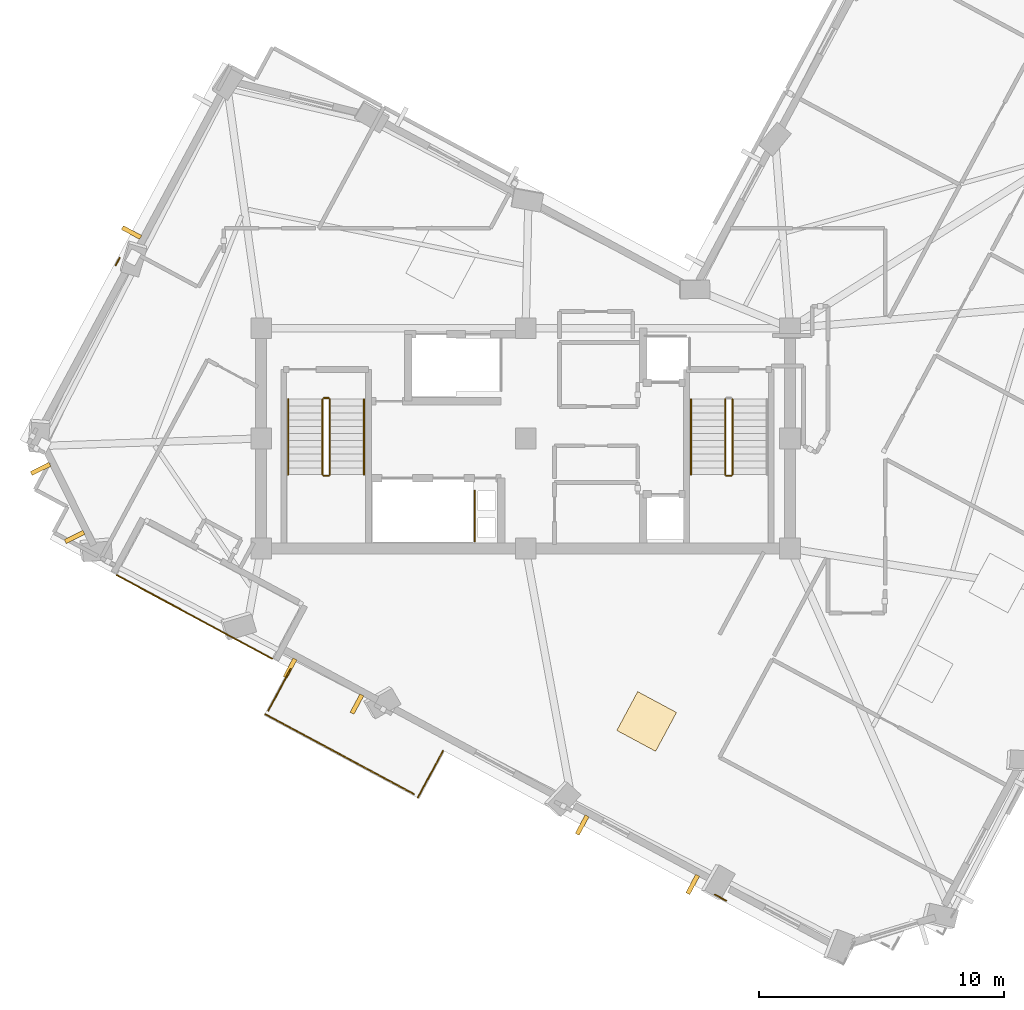
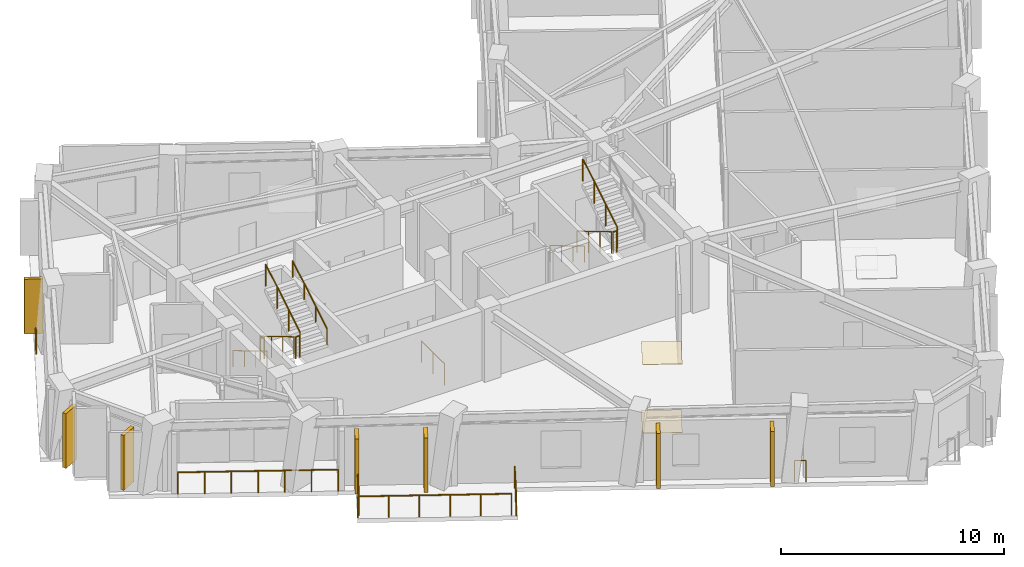
# One storey, part 11 of 14: 17 railings, 7 shading devices, 2 coverings.
"""IFC4 building model written with IfcOpenShell, lengths in metres."""

from ifc_helpers import new_model, si_unit, direction, frame, origin, origin_2d, place, context, subcontext, project, spatial, rectangle, circle, extrude, material, layer, layer_set, type_object, element, save


model = new_model("IFC4")

# Units and contexts
model_context = context("Model", 3, precision=1e-05, world=origin(), true_north=direction((0.0, 1.0)))
body_context = subcontext(model_context, "Body", "Model", "MODEL_VIEW")
ifc_project = project(units=[si_unit("LENGTHUNIT", "METRE"), si_unit("AREAUNIT", "SQUARE_METRE"), si_unit("VOLUMEUNIT", "CUBIC_METRE"), si_unit("PLANEANGLEUNIT", "RADIAN"), si_unit("MASSUNIT", "GRAM", prefix="KILO")], contexts=[model_context])

# Site, building, storey
site_placement = place(None, origin())
site = spatial("IfcSite", under=ifc_project, at=site_placement, CompositionType="ELEMENT")
building_placement = place(site_placement, origin())
building = spatial("IfcBuilding", under=site, at=building_placement, Name="Gaonmaruhae Medical Tower", CompositionType="ELEMENT")
storey_placement = place(building_placement, frame((0.0, 0.0, 288.60009765625)))
storey = spatial("IfcBuildingStorey", under=building, at=storey_placement, Name="L69", CompositionType="ELEMENT", Elevation=288.60009765625)

# Coverings
ifc_material_1 = material(Name="Acoustic mineral ceiling tile", Category="finish")
ifc_layer_1 = layer(ifc_material_1, 0.02490234375)
ifc_layer_set_1 = layer_set([ifc_layer_1], Name="Acoustic mineral ceiling tile")
covering_type_1 = type_object("IfcCoveringType", Name="CLG-01 Antimicrobial Acoustic Mineral Ceiling", PredefinedType="CEILING", material=ifc_layer_set_1)
covering_1_placement = place(storey_placement, frame((29.74169921875, 0.740478515625, 3.7548828125), z_axis=(0.0, 0.0, 1.0), x_axis=(0.473319667185, 0.880890738205, 0.0)))
element("IfcCovering", 1, at=covering_1_placement, inside=storey, type_object=covering_type_1, Name="L69 Clinical Room Acoustic Ceiling 2", PredefinedType="CEILING", context=body_context, shape_type="SweptSolid", body=[
    extrude(rectangle(XDim=1.800048828125, YDim=1.800048828125, at=origin_2d()), origin(), (0.0, 0.0, 1.0), 0.02490234375),
])
ifc_material_2 = material(Name="Seamless clinical vinyl flooring", Category="finish")
ifc_layer_2 = layer(ifc_material_2, 0.014892578125)
ifc_layer_set_2 = layer_set([ifc_layer_2], Name="Seamless clinical vinyl flooring")
covering_type_2 = type_object("IfcCoveringType", Name="FLR-01 Seamless Clinical Antistatic Vinyl Flooring", PredefinedType="FLOORING", material=ifc_layer_set_2)
covering_2_placement = place(storey_placement, frame((29.74169921875, 0.740478515625, 0.0), z_axis=(0.0, 0.0, 1.0), x_axis=(0.473319667185, 0.880890738205, 0.0)))
element("IfcCovering", 2, at=covering_2_placement, inside=storey, type_object=covering_type_2, Name="L69 Clinical Room Vinyl Flooring 2", PredefinedType="FLOORING", context=body_context, shape_type="SweptSolid", body=[
    extrude(rectangle(XDim=1.800048828125, YDim=1.800048828125, at=origin_2d()), origin(), (0.0, 0.0, 1.0), 0.014892578125),
])

# Railings
ifc_material_3 = material(Name="Stainless steel 316L and laminated safety glass", Category="steel")
ifc_layer_3 = layer(ifc_material_3, 0.080078125)
ifc_layer_set_3 = layer_set([ifc_layer_3], Name="Stainless steel 316L and laminated safety glass")
railing_type_1 = type_object("IfcRailingType", Name="GD-120 Outdoor Terrace Safety Glass & Steel Balustrade", PredefinedType="BALUSTRADE", material=ifc_layer_set_3)
railing_1_placement = place(storey_placement, frame((8.102783203125, 6.714111328125, 0.0)))
element("IfcRailing", 3, at=railing_1_placement, inside=storey, type_object=railing_type_1, Name="L69 Terrace Safety Guard RL-SLB-L69-TER-04", PredefinedType="BALUSTRADE", context=body_context, shape_type="SweptSolid", body=[
    extrude(circle(Radius=0.02392578125, at=origin_2d()), frame((0.0, 0.0, 1.17578125), z_axis=(0.880897565615, -0.473306960538, 0.0), x_axis=(0.473306960538, 0.880897565615, 0.0)), (0.0, 0.0, 1.0), 7.19970703125),
    extrude(circle(Radius=0.02099609375, at=origin_2d()), origin(), (0.0, 0.0, 1.0), 1.15185546875),
    extrude(circle(Radius=0.02099609375, at=origin_2d()), frame((1.05712890625, -0.56787109375, 0.0)), (0.0, 0.0, 1.0), 1.15185546875),
    extrude(circle(Radius=0.02099609375, at=origin_2d()), frame((2.114013671875, -1.135986328125, 0.0)), (0.0, 0.0, 1.0), 1.15185546875),
    extrude(circle(Radius=0.02099609375, at=origin_2d()), frame((3.171142578125, -1.703857421875, 0.0)), (0.0, 0.0, 1.0), 1.15185546875),
    extrude(circle(Radius=0.02099609375, at=origin_2d()), frame((4.228271484375, -2.271728515625, 0.0)), (0.0, 0.0, 1.0), 1.15185546875),
    extrude(circle(Radius=0.02099609375, at=origin_2d()), frame((5.28515625, -2.83984375, 0.0)), (0.0, 0.0, 1.0), 1.15185546875),
    extrude(circle(Radius=0.02099609375, at=origin_2d()), frame((6.34228515625, -3.40771484375, 0.0)), (0.0, 0.0, 1.0), 1.15185546875),
])
railing_2_placement = place(storey_placement, frame((8.06103515625, 19.37646484375, 0.0)))
element("IfcRailing", 4, at=railing_2_placement, inside=storey, type_object=railing_type_1, Name="L69 Perimeter Slab Edge Safety Balustrade 01", PredefinedType="BALUSTRADE", context=body_context, shape_type="SweptSolid", body=[
    extrude(circle(Radius=0.02392578125, at=origin_2d()), frame((0.0, 0.0, 1.17578125), z_axis=(0.473282177044, 0.880910881357, 0.0), x_axis=(-0.880910881357, 0.473282177044, 0.0)), (0.0, 0.0, 1.0), 0.33837890625),
    extrude(circle(Radius=0.02099609375, at=origin_2d()), origin(), (0.0, 0.0, 1.0), 1.15185546875),
    extrude(circle(Radius=0.02099609375, at=origin_2d()), frame((0.16015625, 0.298095703125, 0.0)), (0.0, 0.0, 1.0), 1.15185546875),
])
railing_3_placement = place(storey_placement, frame((32.987548828125, -6.577392578125, 0.0)))
element("IfcRailing", 5, at=railing_3_placement, inside=storey, type_object=railing_type_1, Name="L69 Perimeter Slab Edge Safety Balustrade 09", PredefinedType="BALUSTRADE", context=body_context, shape_type="SweptSolid", body=[
    extrude(circle(Radius=0.02392578125, at=origin_2d()), frame((0.0, 0.0, 1.17578125), z_axis=(-0.880969013754, 0.473173960404, 0.0), x_axis=(-0.473173960404, -0.880969013754, 0.0)), (0.0, 0.0, 1.0), 0.51904296875),
    extrude(circle(Radius=0.02099609375, at=origin_2d()), origin(), (0.0, 0.0, 1.0), 1.15185546875),
    extrude(circle(Radius=0.02099609375, at=origin_2d()), frame((-0.457275390625, 0.24560546875, 0.0)), (0.0, 0.0, 1.0), 1.15185546875),
])
railing_4_placement = place(storey_placement, frame((21.421142578125, -0.46484375, 0.0)))
element("IfcRailing", 6, at=railing_4_placement, inside=storey, type_object=railing_type_1, Name="L69 Perimeter Slab Edge Safety Balustrade 10", PredefinedType="BALUSTRADE", context=body_context, shape_type="SweptSolid", body=[
    extrude(circle(Radius=0.02392578125, at=origin_2d()), frame((0.0, 0.0, 1.17578125), z_axis=(-0.473378436218, -0.880859157938, 0.0), x_axis=(0.880859157938, -0.473378436218, 0.0)), (0.0, 0.0, 1.0), 2.159912109375),
    extrude(circle(Radius=0.02099609375, at=origin_2d()), origin(), (0.0, 0.0, 1.0), 1.15185546875),
    extrude(circle(Radius=0.02099609375, at=origin_2d()), frame((-0.51123046875, -0.951171875, 0.0)), (0.0, 0.0, 1.0), 1.15185546875),
    extrude(circle(Radius=0.02099609375, at=origin_2d()), frame((-1.0224609375, -1.902587890625, 0.0)), (0.0, 0.0, 1.0), 1.15185546875),
])
railing_5_placement = place(storey_placement, frame((20.2373046875, -2.22412109375, 0.0)))
element("IfcRailing", 7, at=railing_5_placement, inside=storey, type_object=railing_type_1, Name="L69 Perimeter Slab Edge Safety Balustrade 11", PredefinedType="BALUSTRADE", context=body_context, shape_type="SweptSolid", body=[
    extrude(circle(Radius=0.02392578125, at=origin_2d()), frame((0.0, 0.0, 1.17578125), z_axis=(-0.880877509945, 0.473344285349, 0.0), x_axis=(-0.473344285349, -0.880877509945, 0.0)), (0.0, 0.0, 1.0), 6.900146484375),
    extrude(circle(Radius=0.02099609375, at=origin_2d()), origin(), (0.0, 0.0, 1.0), 1.15185546875),
    extrude(circle(Radius=0.02099609375, at=origin_2d()), frame((-1.215576171875, 0.6533203125, 0.0)), (0.0, 0.0, 1.0), 1.15185546875),
    extrude(circle(Radius=0.02099609375, at=origin_2d()), frame((-2.43115234375, 1.306396484375, 0.0)), (0.0, 0.0, 1.0), 1.15185546875),
    extrude(circle(Radius=0.02099609375, at=origin_2d()), frame((-3.64697265625, 1.959716796875, 0.0)), (0.0, 0.0, 1.0), 1.15185546875),
    extrude(circle(Radius=0.02099609375, at=origin_2d()), frame((-4.862548828125, 2.61279296875, 0.0)), (0.0, 0.0, 1.0), 1.15185546875),
    extrude(circle(Radius=0.02099609375, at=origin_2d()), frame((-6.078125, 3.26611328125, 0.0)), (0.0, 0.0, 1.0), 1.15185546875),
])
railing_6_placement = place(storey_placement, frame((14.29248046875, 1.18408203125, 0.0)))
element("IfcRailing", 8, at=railing_6_placement, inside=storey, type_object=railing_type_1, Name="L69 Perimeter Slab Edge Safety Balustrade 12", PredefinedType="BALUSTRADE", context=body_context, shape_type="SweptSolid", body=[
    extrude(circle(Radius=0.02392578125, at=origin_2d()), frame((0.0, 0.0, 1.17578125), z_axis=(0.473296470151, 0.880903202028, 0.0), x_axis=(-0.880903202028, 0.473296470151, 0.0)), (0.0, 0.0, 1.0), 1.92138671875),
    extrude(circle(Radius=0.02099609375, at=origin_2d()), origin(), (0.0, 0.0, 1.0), 1.15185546875),
    extrude(circle(Radius=0.02099609375, at=origin_2d()), frame((0.45458984375, 0.84619140625, 0.0)), (0.0, 0.0, 1.0), 1.15185546875),
    extrude(circle(Radius=0.02099609375, at=origin_2d()), frame((0.909423828125, 1.692626953125, 0.0)), (0.0, 0.0, 1.0), 1.15185546875),
])
ifc_material_4 = material(Name="Stainless steel 304 handrail", Category="steel")
railing_type_2 = type_object("IfcRailingType", Name="HR-092 Continuous Stainless Steel Stair Handrail", PredefinedType="HANDRAIL", material=ifc_material_4)
railing_7_placement = place(storey_placement, frame((15.10009765625, 13.89990234375, 0.16650390625)))
element("IfcRailing", 9, at=railing_7_placement, inside=storey, type_object=railing_type_2, Name="L69 ST-01 stair handrail 1", PredefinedType="HANDRAIL", context=body_context, shape_type="SweptSolid", body=[
    extrude(circle(Radius=0.02392578125, at=origin_2d()), frame((0.0, 0.0, 0.8759765625), z_axis=(0.0, -0.859260807169, 0.511537745687), x_axis=(1.0, 0.0, 0.0)), (0.0, 0.0, 1.0), 3.584228515625),
    extrude(circle(Radius=0.02099609375, at=origin_2d()), origin(), (0.0, 0.0, 1.0), 0.851806640625),
    extrude(circle(Radius=0.02099609375, at=origin_2d()), frame((0.0, -1.026611328125, 0.611083984375)), (0.0, 0.0, 1.0), 0.851806640625),
    extrude(circle(Radius=0.02099609375, at=origin_2d()), frame((0.0, -2.05322265625, 1.222412109375)), (0.0, 0.0, 1.0), 0.851806640625),
    extrude(circle(Radius=0.02099609375, at=origin_2d()), frame((0.0, -3.079833984375, 1.83349609375)), (0.0, 0.0, 1.0), 0.851806640625),
])
railing_8_placement = place(storey_placement, frame((18.199951171875, 10.820068359375, 2.16650390625)))
element("IfcRailing", 10, at=railing_8_placement, inside=storey, type_object=railing_type_2, Name="L69 ST-01 stair handrail 2", PredefinedType="HANDRAIL", context=body_context, shape_type="SweptSolid", body=[
    extrude(circle(Radius=0.02392578125, at=origin_2d()), frame((0.0, 0.0, 0.8759765625), z_axis=(0.0, 0.859260807169, 0.511537745687), x_axis=(-1.0, 0.0, 0.0)), (0.0, 0.0, 1.0), 3.584228515625),
    extrude(circle(Radius=0.02099609375, at=origin_2d()), origin(), (0.0, 0.0, 1.0), 0.851806640625),
    extrude(circle(Radius=0.02099609375, at=origin_2d()), frame((0.0, 1.026611328125, 0.611083984375)), (0.0, 0.0, 1.0), 0.851806640625),
    extrude(circle(Radius=0.02099609375, at=origin_2d()), frame((0.0, 2.05322265625, 1.222412109375)), (0.0, 0.0, 1.0), 0.851806640625),
    extrude(circle(Radius=0.02099609375, at=origin_2d()), frame((0.0, 3.079833984375, 1.83349609375)), (0.0, 0.0, 1.0), 0.851806640625),
])
railing_9_placement = place(storey_placement, frame((31.550048828125, 13.89990234375, 0.16650390625)))
element("IfcRailing", 11, at=railing_9_placement, inside=storey, type_object=railing_type_2, Name="L69 ST-02 stair handrail 1", PredefinedType="HANDRAIL", context=body_context, shape_type="SweptSolid", body=[
    extrude(circle(Radius=0.02392578125, at=origin_2d()), frame((0.0, 0.0, 0.8759765625), z_axis=(0.0, -0.859260807169, 0.511537745687), x_axis=(1.0, 0.0, 0.0)), (0.0, 0.0, 1.0), 3.584228515625),
    extrude(circle(Radius=0.02099609375, at=origin_2d()), origin(), (0.0, 0.0, 1.0), 0.851806640625),
    extrude(circle(Radius=0.02099609375, at=origin_2d()), frame((0.0, -1.026611328125, 0.611083984375)), (0.0, 0.0, 1.0), 0.851806640625),
    extrude(circle(Radius=0.02099609375, at=origin_2d()), frame((0.0, -2.05322265625, 1.222412109375)), (0.0, 0.0, 1.0), 0.851806640625),
    extrude(circle(Radius=0.02099609375, at=origin_2d()), frame((0.0, -3.079833984375, 1.83349609375)), (0.0, 0.0, 1.0), 0.851806640625),
])

# Shading devices
ifc_material_5 = material(Name="Pigmented coral precast concrete C45/55", Category="concrete")
shading_device_type = type_object("IfcShadingDeviceType", Name="SD-FIN1 Tower Vertical Coral Precast Shading Fin", PredefinedType="USERDEFINED", material=ifc_material_5)
for number, where, z_axis, x_axis, name in (
    (12, (8.703857421875, 20.710205078125, 0.13232421875), (0.0, 0.0, 1.0), (0.473319667185, 0.880890738205, 0.0), "L69 Vertical Coral Precast Shading Fin N01"),
    (13, (6.378173828125, 8.275634765625, 0.122314453125), (0.0, 0.0, 1.0), (-0.446697569131, 0.894685018167, 0.0), "L69 Vertical Coral Precast Shading Fin N03"),
    (14, (4.989990234375, 11.056396484375, 0.122314453125), (0.0, 0.0, 1.0), (-0.446697569131, 0.894685018167, 0.0), "L69 Vertical Coral Precast Shading Fin N03B"),
    (15, (17.90966796875, 1.450439453125, 0.122314453125), (0.0, 0.0, 1.0), (-0.880890738205, 0.473319667185, 0.0), "L69 Vertical Coral Precast Shading Fin W02"),
    (16, (15.1787109375, 2.91796875, 0.122314453125), (0.0, 0.0, 1.0), (-0.880890738205, 0.473319667185, 0.0), "L69 Vertical Coral Precast Shading Fin W02B"),
    (17, (31.621337890625, -5.9169921875, 0.13232421875), (0.0, 0.0, 1.0), (-0.880890738205, 0.473319667185, 0.0), "L69 Vertical Coral Precast Shading Fin W04"),
    (18, (27.106689453125, -3.4912109375, 0.13232421875), (0.0, 0.0, 1.0), (-0.880890738205, 0.473319667185, 0.0), "L69 Vertical Coral Precast Shading Fin W04B"),
):
    element("IfcShadingDevice", number, at=place(storey_placement, frame(where, z_axis=z_axis, x_axis=x_axis)), inside=storey, type_object=shading_device_type, Name=name, ObjectType="FIN", PredefinedType="USERDEFINED", context=body_context, shape_type="SweptSolid", body=[
        extrude(rectangle(XDim=0.179931640625, YDim=0.85009765625, at=origin_2d()), origin(), (0.0, 0.0, 1.0), 3.0),
    ])

# Railings
ifc_material_6 = material(Name="Stainless steel 304 balustrade", Category="steel")
railing_type_3 = type_object("IfcRailingType", Name="SG-112 Stair Well & Ramp Void Safety Balustrade", PredefinedType="BALUSTRADE", material=ifc_material_6)
railing_10_placement = place(storey_placement, frame((16.5, 13.89990234375, 0.16650390625)))
element("IfcRailing", 19, at=railing_10_placement, inside=storey, type_object=railing_type_3, Name="L69 ST-01 stair guard 1", PredefinedType="BALUSTRADE", context=body_context, shape_type="SweptSolid", body=[
    extrude(circle(Radius=0.02392578125, at=origin_2d()), frame((0.0, 0.0, 1.17578125), z_axis=(0.0, -0.859260807169, 0.511537745687), x_axis=(1.0, 0.0, 0.0)), (0.0, 0.0, 1.0), 3.584228515625),
    extrude(circle(Radius=0.02099609375, at=origin_2d()), origin(), (0.0, 0.0, 1.0), 1.15185546875),
    extrude(circle(Radius=0.02099609375, at=origin_2d()), frame((0.0, -1.026611328125, 0.611083984375)), (0.0, 0.0, 1.0), 1.15185546875),
    extrude(circle(Radius=0.02099609375, at=origin_2d()), frame((0.0, -2.05322265625, 1.222412109375)), (0.0, 0.0, 1.0), 1.15185546875),
    extrude(circle(Radius=0.02099609375, at=origin_2d()), frame((0.0, -3.079833984375, 1.83349609375)), (0.0, 0.0, 1.0), 1.15185546875),
])
railing_11_placement = place(storey_placement, frame((16.550048828125, 10.77001953125, 2.0)))
element("IfcRailing", 20, at=railing_11_placement, inside=storey, type_object=railing_type_3, Name="L69 ST-01 stair guard 2", PredefinedType="BALUSTRADE", context=body_context, shape_type="SweptSolid", body=[
    extrude(circle(Radius=0.02392578125, at=origin_2d()), frame((0.0, 0.0, 1.17578125), z_axis=(1.0, 0.0, 0.0), x_axis=(0.0, 1.0, 0.0)), (0.0, 0.0, 1.0), 0.199951171875),
    extrude(circle(Radius=0.02099609375, at=origin_2d()), origin(), (0.0, 0.0, 1.0), 1.15185546875),
    extrude(circle(Radius=0.02099609375, at=origin_2d()), frame((0.199951171875, 0.0, 0.0)), (0.0, 0.0, 1.0), 1.15185546875),
])
railing_12_placement = place(storey_placement, frame((16.800048828125, 10.820068359375, 2.16650390625)))
element("IfcRailing", 21, at=railing_12_placement, inside=storey, type_object=railing_type_3, Name="L69 ST-01 stair guard 3", PredefinedType="BALUSTRADE", context=body_context, shape_type="SweptSolid", body=[
    extrude(circle(Radius=0.02392578125, at=origin_2d()), frame((0.0, 0.0, 1.17578125), z_axis=(0.0, 0.859260807169, 0.511537745687), x_axis=(-1.0, 0.0, 0.0)), (0.0, 0.0, 1.0), 3.584228515625),
    extrude(circle(Radius=0.02099609375, at=origin_2d()), origin(), (0.0, 0.0, 1.0), 1.15185546875),
    extrude(circle(Radius=0.02099609375, at=origin_2d()), frame((0.0, 1.026611328125, 0.611083984375)), (0.0, 0.0, 1.0), 1.15185546875),
    extrude(circle(Radius=0.02099609375, at=origin_2d()), frame((0.0, 2.05322265625, 1.222412109375)), (0.0, 0.0, 1.0), 1.15185546875),
    extrude(circle(Radius=0.02099609375, at=origin_2d()), frame((0.0, 3.079833984375, 1.83349609375)), (0.0, 0.0, 1.0), 1.15185546875),
])
railing_13_placement = place(storey_placement, frame((16.550048828125, 13.949951171875, 0.0)))
element("IfcRailing", 22, at=railing_13_placement, inside=storey, type_object=railing_type_3, Name="L69 ST-01 stair guard 4", PredefinedType="BALUSTRADE", context=body_context, shape_type="SweptSolid", body=[
    extrude(circle(Radius=0.02392578125, at=origin_2d()), frame((0.0, 0.0, 1.17578125), z_axis=(1.0, 0.0, 0.0), x_axis=(0.0, 1.0, 0.0)), (0.0, 0.0, 1.0), 0.199951171875),
    extrude(circle(Radius=0.02099609375, at=origin_2d()), origin(), (0.0, 0.0, 1.0), 1.15185546875),
    extrude(circle(Radius=0.02099609375, at=origin_2d()), frame((0.199951171875, 0.0, 0.0)), (0.0, 0.0, 1.0), 1.15185546875),
])
railing_14_placement = place(storey_placement, frame((32.949951171875, 13.89990234375, 0.16650390625)))
element("IfcRailing", 23, at=railing_14_placement, inside=storey, type_object=railing_type_3, Name="L69 ST-02 stair guard 1", PredefinedType="BALUSTRADE", context=body_context, shape_type="SweptSolid", body=[
    extrude(circle(Radius=0.02392578125, at=origin_2d()), frame((0.0, 0.0, 1.17578125), z_axis=(0.0, -0.859260807169, 0.511537745687), x_axis=(1.0, 0.0, 0.0)), (0.0, 0.0, 1.0), 3.584228515625),
    extrude(circle(Radius=0.02099609375, at=origin_2d()), origin(), (0.0, 0.0, 1.0), 1.15185546875),
    extrude(circle(Radius=0.02099609375, at=origin_2d()), frame((0.0, -1.026611328125, 0.611083984375)), (0.0, 0.0, 1.0), 1.15185546875),
    extrude(circle(Radius=0.02099609375, at=origin_2d()), frame((0.0, -2.05322265625, 1.222412109375)), (0.0, 0.0, 1.0), 1.15185546875),
    extrude(circle(Radius=0.02099609375, at=origin_2d()), frame((0.0, -3.079833984375, 1.83349609375)), (0.0, 0.0, 1.0), 1.15185546875),
])
railing_15_placement = place(storey_placement, frame((33.0, 10.77001953125, 2.0)))
element("IfcRailing", 24, at=railing_15_placement, inside=storey, type_object=railing_type_3, Name="L69 ST-02 stair guard 2", PredefinedType="BALUSTRADE", context=body_context, shape_type="SweptSolid", body=[
    extrude(circle(Radius=0.02392578125, at=origin_2d()), frame((0.0, 0.0, 1.17578125), z_axis=(1.0, 0.0, 0.0), x_axis=(0.0, 1.0, 0.0)), (0.0, 0.0, 1.0), 0.199951171875),
    extrude(circle(Radius=0.02099609375, at=origin_2d()), origin(), (0.0, 0.0, 1.0), 1.15185546875),
    extrude(circle(Radius=0.02099609375, at=origin_2d()), frame((0.199951171875, 0.0, 0.0)), (0.0, 0.0, 1.0), 1.15185546875),
])
railing_16_placement = place(storey_placement, frame((33.25, 10.820068359375, 2.16650390625)))
element("IfcRailing", 25, at=railing_16_placement, inside=storey, type_object=railing_type_3, Name="L69 ST-02 stair guard 3", PredefinedType="BALUSTRADE", context=body_context, shape_type="SweptSolid", body=[
    extrude(circle(Radius=0.02392578125, at=origin_2d()), frame((0.0, 0.0, 1.17578125), z_axis=(0.0, 0.859260807169, 0.511537745687), x_axis=(-1.0, 0.0, 0.0)), (0.0, 0.0, 1.0), 3.584228515625),
    extrude(circle(Radius=0.02099609375, at=origin_2d()), origin(), (0.0, 0.0, 1.0), 1.15185546875),
    extrude(circle(Radius=0.02099609375, at=origin_2d()), frame((0.0, 1.026611328125, 0.611083984375)), (0.0, 0.0, 1.0), 1.15185546875),
    extrude(circle(Radius=0.02099609375, at=origin_2d()), frame((0.0, 2.05322265625, 1.222412109375)), (0.0, 0.0, 1.0), 1.15185546875),
    extrude(circle(Radius=0.02099609375, at=origin_2d()), frame((0.0, 3.079833984375, 1.83349609375)), (0.0, 0.0, 1.0), 1.15185546875),
])
railing_17_placement = place(storey_placement, frame((22.719970703125, 10.159912109375, 0.0)))
element("IfcRailing", 26, at=railing_17_placement, inside=storey, type_object=railing_type_3, Name="L69 Shaft Edge Safety Guard 15", PredefinedType="BALUSTRADE", context=body_context, shape_type="SweptSolid", body=[
    extrude(circle(Radius=0.02392578125, at=origin_2d()), frame((0.0, 0.0, 1.17578125), z_axis=(0.0, -1.0, 0.0), x_axis=(1.0, 0.0, 0.0)), (0.0, 0.0, 1.0), 2.06494140625),
    extrude(circle(Radius=0.02099609375, at=origin_2d()), origin(), (0.0, 0.0, 1.0), 1.15185546875),
    extrude(circle(Radius=0.02099609375, at=origin_2d()), frame((0.0, -1.032470703125, 0.0)), (0.0, 0.0, 1.0), 1.15185546875),
    extrude(circle(Radius=0.02099609375, at=origin_2d()), frame((0.0, -2.06494140625, 0.0)), (0.0, 0.0, 1.0), 1.15185546875),
])

save(model, "model.ifc")
